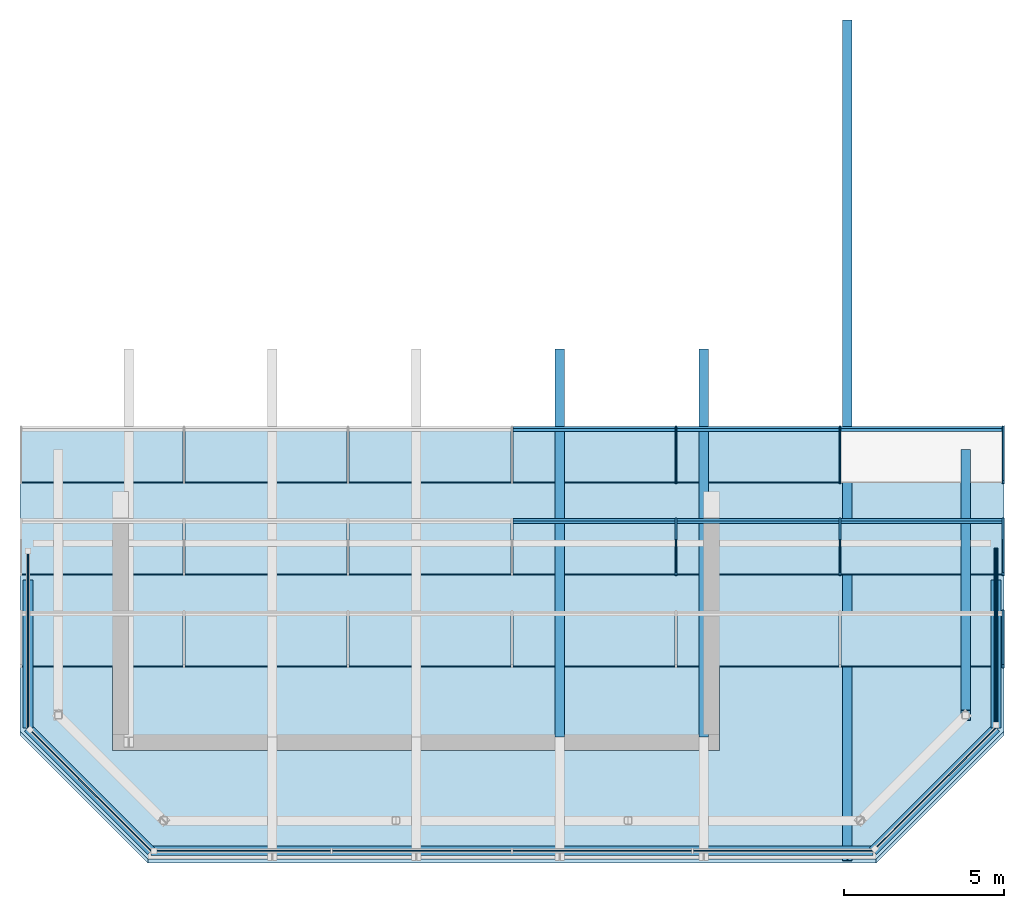
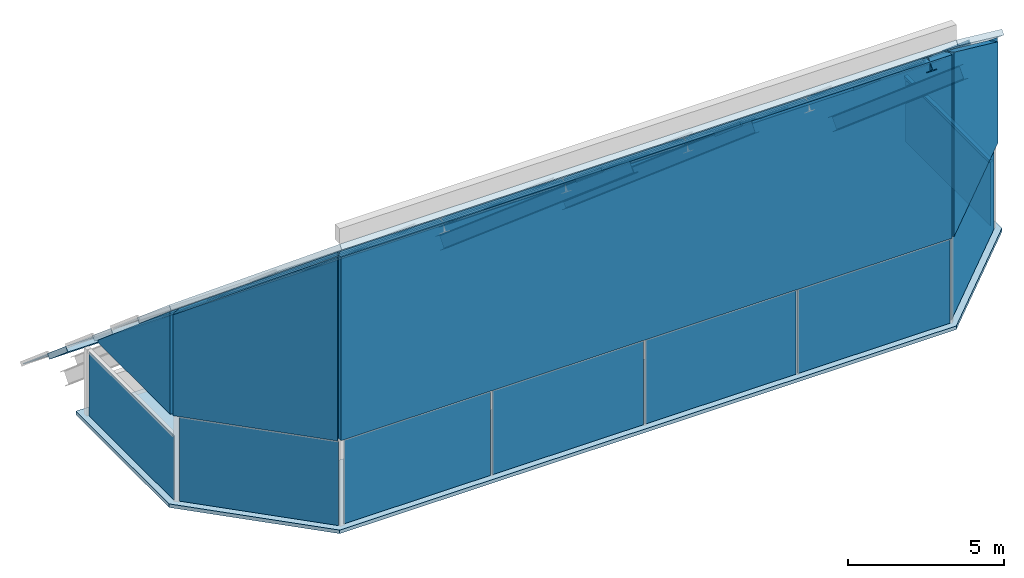
# One storey, part 2 of 3: 30 plates, 17 members, 4 slabs, 1 beam, 8 elements without a shape of their own.
"""IFC4 building model written with IfcOpenShell, lengths in metres."""

from ifc_helpers import new_model, si_unit, direction, frame, origin, origin_2d, place, context, subcontext, project, spatial, polyline, rectangle, i_section, outline, extrude, material, layer, layer_set, material_profile, profile_set, type_object, element, aggregate, save


model = new_model("IFC4")

# Units and contexts
model_context = context("Model", 3, precision=1e-05, world=origin(), true_north=direction((0.0, 1.0)))
body_context = subcontext(model_context, "Body", "Model", "MODEL_VIEW")
ifc_project = project(units=[si_unit("LENGTHUNIT", "METRE"), si_unit("AREAUNIT", "SQUARE_METRE"), si_unit("VOLUMEUNIT", "CUBIC_METRE"), si_unit("PLANEANGLEUNIT", "RADIAN"), si_unit("MASSUNIT", "GRAM", prefix="KILO")], contexts=[model_context])

# Site, building, storey
site_placement = place(None, origin())
site = spatial("IfcSite", under=ifc_project, at=site_placement, CompositionType="ELEMENT")
building_placement = place(site_placement, origin())
building = spatial("IfcBuilding", under=site, at=building_placement, Name="Tskaro Facet Tower", CompositionType="ELEMENT")
storey_placement = place(building_placement, frame((0.0, 0.0, 315.300048828125)))
storey = spatial("IfcBuildingStorey", under=building, at=storey_placement, Name="L85", CompositionType="ELEMENT", Elevation=315.300048828125)

# Curtain wall, member
ifc_material_1 = material(Name="Bronze anodised aluminium 6063-T6", Category="aluminium")
curtain_wall_type_1 = type_object("IfcCurtainWallType", Name="Bronze crown curtain wall (FW5)", PredefinedType="NOTDEFINED", material=ifc_material_1)
curtain_wall_1_placement = place(storey_placement, origin())
curtain_wall_1 = element("IfcCurtainWall", 1, at=curtain_wall_1_placement, inside=storey, type_object=curtain_wall_type_1, Name="FW5 east facet L85", PredefinedType="NOTDEFINED")
ifc_material_profile_1 = material_profile(ifc_material_1, rectangle(XDim=0.139892578125, YDim=0.110107421875, at=origin_2d()), Name="Transom 140x110")
ifc_profile_set_1 = profile_set([ifc_material_profile_1], Name="Bronze anodised aluminium 6063-T6")
member_type_1 = type_object("IfcMemberType", Name="FW5 bronze transom 140x110", PredefinedType="USERDEFINED", material=ifc_profile_set_1)
member_1_placement = place(storey_placement, frame((18.14990234375, -11.115966796875, 2.54541015625), z_axis=(0.0, 1.0, 0.0), x_axis=(-1.0, 0.0, 0.0)))
member_1 = element("IfcMember", 2, at=member_1_placement, type_object=member_type_1, Name="FW5 east transom 1.1", ObjectType="TRANSOM", PredefinedType="USERDEFINED", context=body_context, shape_type="SweptSolid", body=[
    extrude(rectangle(XDim=0.139892578125, YDim=0.110107421875, at=origin_2d()), origin(), (0.0, 0.0, 1.0), 5.44189453125),
])

curtain_wall_type_2 = type_object("IfcCurtainWallType", Name="Bronze crown roof glazing (FW6)", PredefinedType="NOTDEFINED", material=ifc_material_1)
curtain_wall_2_placement = place(storey_placement, origin())
curtain_wall_2 = element("IfcCurtainWall", 3, at=curtain_wall_2_placement, inside=storey, type_object=curtain_wall_type_2, Name="FW6 roof glazing strip 1", PredefinedType="NOTDEFINED")
ifc_material_profile_2 = material_profile(ifc_material_1, rectangle(XDim=0.06005859375, YDim=0.159912109375, at=origin_2d()), Name="Mullion 60x160")
ifc_profile_set_2 = profile_set([ifc_material_profile_2], Name="Bronze anodised aluminium 6063-T6")
member_type_2 = type_object("IfcMemberType", Name="FW6 bronze mullion 60x160", PredefinedType="MULLION", material=ifc_profile_set_2)
member_2_placement = place(storey_placement, frame((18.3701171875, -9.36669921875, 6.051513671875), z_axis=(0.0, 0.761969017427, -0.647613477687), x_axis=(-1.0, 0.0, 0.0)))
member_2 = element("IfcMember", 4, at=member_2_placement, type_object=member_type_2, Name="FW6 roof mullion 1.7", PredefinedType="MULLION", context=body_context, shape_type="SweptSolid", body=[
    extrude(rectangle(XDim=0.06005859375, YDim=0.159912109375, at=origin_2d()), origin(), (0.0, 0.0, 1.0), 2.23095703125),
])

# Curtain wall, members
curtain_wall_3_placement = place(storey_placement, origin())
curtain_wall_3 = element("IfcCurtainWall", 5, at=curtain_wall_3_placement, inside=storey, type_object=curtain_wall_type_2, Name="FW6 roof glazing strip 2", PredefinedType="NOTDEFINED")
member_3_placement = place(storey_placement, frame((8.13330078125, -6.4833984375, 3.600830078125), z_axis=(0.0, 0.761915018562, -0.6476770063), x_axis=(-1.0, 0.0, 0.0)))
member_3 = element("IfcMember", 6, at=member_3_placement, type_object=member_type_2, Name="FW6 roof mullion 2.5", PredefinedType="MULLION", context=body_context, shape_type="SweptSolid", body=[
    extrude(rectangle(XDim=0.06005859375, YDim=0.159912109375, at=origin_2d()), origin(), (0.0, 0.0, 1.0), 2.231201171875),
])
member_4_placement = place(storey_placement, frame((13.2666015625, -6.4833984375, 3.600830078125), z_axis=(0.0, 0.761915018562, -0.6476770063), x_axis=(-1.0, 0.0, 0.0)))
member_4 = element("IfcMember", 7, at=member_4_placement, type_object=member_type_2, Name="FW6 roof mullion 2.6", PredefinedType="MULLION", context=body_context, shape_type="SweptSolid", body=[
    extrude(rectangle(XDim=0.06005859375, YDim=0.159912109375, at=origin_2d()), origin(), (0.0, 0.0, 1.0), 2.231201171875),
])
member_5_placement = place(storey_placement, frame((18.3701171875, -6.4833984375, 3.600830078125), z_axis=(0.0, 0.761915018562, -0.6476770063), x_axis=(-1.0, 0.0, 0.0)))
member_5 = element("IfcMember", 8, at=member_5_placement, type_object=member_type_2, Name="FW6 roof mullion 2.7", PredefinedType="MULLION", context=body_context, shape_type="SweptSolid", body=[
    extrude(rectangle(XDim=0.06005859375, YDim=0.159912109375, at=origin_2d()), origin(), (0.0, 0.0, 1.0), 2.231201171875),
])

curtain_wall_4_placement = place(storey_placement, origin())
curtain_wall_4 = element("IfcCurtainWall", 9, at=curtain_wall_4_placement, inside=storey, type_object=curtain_wall_type_2, Name="FW6 roof glazing strip 3", PredefinedType="NOTDEFINED")
member_6_placement = place(storey_placement, frame((8.13330078125, -3.60009765625, 1.14990234375), z_axis=(0.0, 0.761960914345, -0.647623011489), x_axis=(-1.0, 0.0, 0.0)))
member_6 = element("IfcMember", 10, at=member_6_placement, type_object=member_type_2, Name="FW6 roof mullion 3.5", PredefinedType="MULLION", context=body_context, shape_type="SweptSolid", body=[
    extrude(rectangle(XDim=0.06005859375, YDim=0.159912109375, at=origin_2d()), origin(), (0.0, 0.0, 1.0), 2.2314453125),
])
member_7_placement = place(storey_placement, frame((13.2666015625, -3.60009765625, 1.14990234375), z_axis=(0.0, 0.761960914345, -0.647623011489), x_axis=(-1.0, 0.0, 0.0)))
member_7 = element("IfcMember", 11, at=member_7_placement, type_object=member_type_2, Name="FW6 roof mullion 3.6", PredefinedType="MULLION", context=body_context, shape_type="SweptSolid", body=[
    extrude(rectangle(XDim=0.06005859375, YDim=0.159912109375, at=origin_2d()), origin(), (0.0, 0.0, 1.0), 2.2314453125),
])
member_8_placement = place(storey_placement, frame((18.3701171875, -3.60009765625, 1.14990234375), z_axis=(0.0, 0.761960914345, -0.647623011489), x_axis=(-1.0, 0.0, 0.0)))
member_8 = element("IfcMember", 12, at=member_8_placement, type_object=member_type_2, Name="FW6 roof mullion 3.7", PredefinedType="MULLION", context=body_context, shape_type="SweptSolid", body=[
    extrude(rectangle(XDim=0.06005859375, YDim=0.159912109375, at=origin_2d()), origin(), (0.0, 0.0, 1.0), 2.2314453125),
])

# Member
ifc_material_profile_3 = material_profile(ifc_material_1, rectangle(XDim=0.1201171875, YDim=0.10009765625, at=origin_2d()), Name="Transom 120x100")
ifc_profile_set_3 = profile_set([ifc_material_profile_3], Name="Bronze anodised aluminium 6063-T6")
member_type_3 = type_object("IfcMemberType", Name="FW6 bronze transom 120x100", PredefinedType="USERDEFINED", material=ifc_profile_set_3)
member_9_placement = place(storey_placement, frame((3.030029296875, -4.8291015625, 2.194580078125), z_axis=(1.0, 0.0, 0.0), x_axis=(0.0, 0.761939317761, 0.647648420094)))
member_9 = element("IfcMember", 13, at=member_9_placement, type_object=member_type_3, Name="FW6 roof transom 2.4", ObjectType="TRANSOM", PredefinedType="USERDEFINED", context=body_context, shape_type="SweptSolid", body=[
    extrude(rectangle(XDim=0.1201171875, YDim=0.10009765625, at=origin_2d()), origin(), (0.0, 0.0, 1.0), 5.0732421875),
])

member_10_placement = place(storey_placement, frame((8.163330078125, -4.8291015625, 2.194580078125), z_axis=(1.0, 0.0, 0.0), x_axis=(0.0, 0.761939317761, 0.647648420094)))
member_10 = element("IfcMember", 14, at=member_10_placement, type_object=member_type_3, Name="FW6 roof transom 2.5", ObjectType="TRANSOM", PredefinedType="USERDEFINED", context=body_context, shape_type="SweptSolid", body=[
    extrude(rectangle(XDim=0.1201171875, YDim=0.10009765625, at=origin_2d()), origin(), (0.0, 0.0, 1.0), 5.0732421875),
])

member_11_placement = place(storey_placement, frame((13.296630859375, -4.8291015625, 2.194580078125), z_axis=(1.0, 0.0, 0.0), x_axis=(0.0, 0.761939317761, 0.647648420094)))
member_11 = element("IfcMember", 15, at=member_11_placement, type_object=member_type_3, Name="FW6 roof transom 2.6", ObjectType="TRANSOM", PredefinedType="USERDEFINED", context=body_context, shape_type="SweptSolid", body=[
    extrude(rectangle(XDim=0.1201171875, YDim=0.10009765625, at=origin_2d()), origin(), (0.0, 0.0, 1.0), 5.073486328125),
])

member_12_placement = place(storey_placement, frame((3.030029296875, -1.94580078125, -0.256103515625), z_axis=(1.0, 0.0, 0.0), x_axis=(0.0, 0.761939317761, 0.647648420094)))
member_12 = element("IfcMember", 16, at=member_12_placement, type_object=member_type_3, Name="FW6 roof transom 3.4", ObjectType="TRANSOM", PredefinedType="USERDEFINED", context=body_context, shape_type="SweptSolid", body=[
    extrude(rectangle(XDim=0.1201171875, YDim=0.10009765625, at=origin_2d()), origin(), (0.0, 0.0, 1.0), 5.0732421875),
])

member_13_placement = place(storey_placement, frame((8.163330078125, -1.94580078125, -0.256103515625), z_axis=(1.0, 0.0, 0.0), x_axis=(0.0, 0.761939317761, 0.647648420094)))
member_13 = element("IfcMember", 17, at=member_13_placement, type_object=member_type_3, Name="FW6 roof transom 3.5", ObjectType="TRANSOM", PredefinedType="USERDEFINED", context=body_context, shape_type="SweptSolid", body=[
    extrude(rectangle(XDim=0.1201171875, YDim=0.10009765625, at=origin_2d()), origin(), (0.0, 0.0, 1.0), 5.0732421875),
])

member_14_placement = place(storey_placement, frame((13.296630859375, -1.94580078125, -0.256103515625), z_axis=(1.0, 0.0, 0.0), x_axis=(0.0, 0.761939317761, 0.647648420094)))
member_14 = element("IfcMember", 18, at=member_14_placement, type_object=member_type_3, Name="FW6 roof transom 3.6", ObjectType="TRANSOM", PredefinedType="USERDEFINED", context=body_context, shape_type="SweptSolid", body=[
    extrude(rectangle(XDim=0.1201171875, YDim=0.10009765625, at=origin_2d()), origin(), (0.0, 0.0, 1.0), 5.073486328125),
])

# Members
ifc_material_2 = material(Name="Steel S355J2", Category="steel")
ifc_material_profile_4 = material_profile(ifc_material_2, i_section(OverallWidth=0.300048828125, OverallDepth=0.489990234375, WebThickness=0.011962890625, FlangeThickness=0.02294921875, FilletRadius=0.027099609375, at=origin_2d()), Name="HE 500 A")
ifc_profile_set_4 = profile_set([ifc_material_profile_4], Name="Steel S355J2")
member_type_4 = type_object("IfcMemberType", Name="HE 500 A rafter", PredefinedType="RAFTER", material=ifc_profile_set_4)
for number, where, z_axis, x_axis, name in (
    (19, (4.5, -11.75, 7.493408203125), (0.0, 0.761940073282, -0.647647531244), (-1.0, 0.0, 0.0), "HE 500 A RF4-2/6"),
    (20, (9.0, -11.75, 7.493408203125), (0.0, 0.761940073282, -0.647647531244), (-1.0, 0.0, 0.0), "HE 500 A RF5-2/6"),
):
    element("IfcMember", number, at=place(storey_placement, frame(where, z_axis=z_axis, x_axis=x_axis)), inside=storey, type_object=member_type_4, Name=name, PredefinedType="RAFTER", context=body_context, shape_type="SweptSolid", body=[
        extrude(i_section(OverallWidth=0.300048828125, OverallDepth=0.489990234375, WebThickness=0.011962890625, FlangeThickness=0.02294921875, FilletRadius=0.027099609375, at=origin_2d()), origin(), (0.0, 0.0, 1.0), 15.946044921875),
    ])
member_15_placement = place(storey_placement, frame((13.5, -15.300048828125, 10.510986328125), z_axis=(0.0, 0.761937905526, -0.647650081543), x_axis=(-1.0, 0.0, 0.0)))
element("IfcMember", 21, at=member_15_placement, inside=storey, type_object=member_type_4, Name="HE 500 A RF6-1/6", PredefinedType="RAFTER", context=body_context, shape_type="SweptSolid", body=[
    extrude(i_section(OverallWidth=0.300048828125, OverallDepth=0.489990234375, WebThickness=0.011962890625, FlangeThickness=0.02294921875, FilletRadius=0.027099609375, at=origin_2d()), origin(), (0.0, 0.0, 1.0), 34.12353515625),
])

# Beam
ifc_material_profile_5 = material_profile(ifc_material_2, i_section(OverallWidth=0.300048828125, OverallDepth=0.5, WebThickness=0.014404296875, FlangeThickness=0.028076171875, FilletRadius=0.027099609375, at=origin_2d()), Name="HE 500 B")
ifc_profile_set_5 = profile_set([ifc_material_profile_5], Name="Steel S355J2")
beam_type = type_object("IfcBeamType", Name="HE 500 B roof ring beam", PredefinedType="BEAM", material=ifc_profile_set_5)
beam_placement = place(storey_placement, frame((17.199951171875, -10.903076171875, 6.201904296875), z_axis=(0.0, 0.761947762015, -0.647638485546), x_axis=(-1.0, 0.0, 0.0)))
element("IfcBeam", 22, at=beam_placement, inside=storey, type_object=beam_type, Name="HE 500 B RB5-6", PredefinedType="BEAM", context=body_context, shape_type="SweptSolid", body=[
    extrude(i_section(OverallWidth=0.300048828125, OverallDepth=0.5, WebThickness=0.014404296875, FlangeThickness=0.028076171875, FilletRadius=0.027099609375, at=origin_2d()), origin(), (0.0, 0.0, 1.0), 10.7001953125),
])

# Plates
ifc_material_3 = material(Name="Bronze anodised aluminium cladding 5005-H34", Category="aluminium")
ifc_layer_1 = layer(ifc_material_3, 0.300048828125, Name="Bronze anodised aluminium cladding 5005-H34")
ifc_layer_set_1 = layer_set([ifc_layer_1], Name="Bronze anodised aluminium cladding 5005-H34")
plate_type_1 = type_object("IfcPlateType", Name="Crown cladding panel", PredefinedType="SHEET", material=ifc_layer_set_1)
plate_1_placement = place(storey_placement, frame((-8.2958984375, -15.14990234375, 3.39990234375), z_axis=(0.0, 0.0, 1.0), x_axis=(1.0, 0.0, 0.0)))
element("IfcPlate", 23, at=plate_1_placement, inside=storey, type_object=plate_type_1, Name="Crown cladding panel south L85", PredefinedType="SHEET", context=body_context, shape_type="SweptSolid", body=[
    extrude(outline(polyline([(0.0, 0.0), (22.591796875, 0.0), (22.592041015625, 7.177490234375), (0.0, 7.177490234375), (0.0, 0.0)])), frame((0.0, 0.14990234375, 0.0), z_axis=(0.0, -1.0, 0.0), x_axis=(1.0, 0.0, 0.0)), (0.0, 0.0, 1.0), 0.300048828125),
])
plate_2_placement = place(storey_placement, frame((14.2958984375, -15.14990234375, 3.39990234375), z_axis=(0.0, 0.0, 1.0), x_axis=(0.707106781187, 0.707106781187, 0.0)))
element("IfcPlate", 24, at=plate_2_placement, inside=storey, type_object=plate_type_1, Name="Crown cladding panel south-east L85", PredefinedType="SHEET", context=body_context, shape_type="SweptSolid", body=[
    extrude(outline(polyline([(0.0, 0.0), (5.450439453125, 0.0), (5.450439453125, 3.93896484375), (0.0, 7.21484375), (0.0, 0.0)])), frame((0.0, 0.14990234375, 0.0), z_axis=(0.0, -1.0, 0.0), x_axis=(1.0, 0.0, 0.0)), (0.0, 0.0, 1.0), 0.300048828125),
])
plate_3_placement = place(storey_placement, frame((18.14990234375, -11.2958984375, 3.39990234375), z_axis=(0.0, 0.0, 1.0), x_axis=(0.0, 1.0, 0.0)))
element("IfcPlate", 25, at=plate_3_placement, inside=storey, type_object=plate_type_1, Name="Crown cladding panel east L85", PredefinedType="SHEET", context=body_context, shape_type="SweptSolid", body=[
    extrude(outline(polyline([(0.0, 0.0), (4.622314453125, 0.0), (4.62255859375, 0.10009765625), (0.0, 4.029052734375), (0.0, 0.0)])), frame((0.0, 0.14990234375, 0.0), z_axis=(0.0, -1.0, 0.0), x_axis=(1.0, 0.0, 0.0)), (0.0, 0.0, 1.0), 0.300048828125),
])
plate_4_placement = place(storey_placement, frame((-12.14990234375, -6.673583984375, 3.39990234375), z_axis=(0.0, 0.0, 1.0), x_axis=(0.0, -1.0, 0.0)))
element("IfcPlate", 26, at=plate_4_placement, inside=storey, type_object=plate_type_1, Name="Crown cladding panel west L85", PredefinedType="SHEET", context=body_context, shape_type="SweptSolid", body=[
    extrude(outline(polyline([(0.0, 0.0), (4.622314453125, 0.0), (4.62255859375, 4.029052734375), (0.0, 0.10009765625), (0.0, 0.0)])), frame((0.0, 0.14990234375, 0.0), z_axis=(0.0, -1.0, 0.0), x_axis=(1.0, 0.0, 0.0)), (0.0, 0.0, 1.0), 0.300048828125),
])
plate_5_placement = place(storey_placement, frame((-12.14990234375, -11.2958984375, 3.39990234375), z_axis=(0.0, 0.0, 1.0), x_axis=(0.707106781187, -0.707106781187, 0.0)))
element("IfcPlate", 27, at=plate_5_placement, inside=storey, type_object=plate_type_1, Name="Crown cladding panel south-west L85", PredefinedType="SHEET", context=body_context, shape_type="SweptSolid", body=[
    extrude(outline(polyline([(0.0, 0.0), (5.450439453125, 0.0), (5.450439453125, 7.21484375), (0.0, 3.93896484375), (0.0, 0.0)])), frame((0.0, 0.14990234375, 0.0), z_axis=(0.0, -1.0, 0.0), x_axis=(1.0, 0.0, 0.0)), (0.0, 0.0, 1.0), 0.300048828125),
])

# Slabs
ifc_layer_2 = layer(ifc_material_3, 0.199951171875, Name="Bronze anodised aluminium cladding 5005-H34")
ifc_layer_set_2 = layer_set([ifc_layer_2], Name="Bronze anodised aluminium cladding 5005-H34")
slab_type_1 = type_object("IfcSlabType", Name="Crown roof cladding panel", PredefinedType="ROOF", material=ifc_layer_set_2)
slab_1_placement = place(storey_placement, frame((18.39990234375, -11.39990234375, 7.780029296875), z_axis=(0.0, 0.647665106306, 0.761925134166), x_axis=(-0.606065225926, -0.606046642132, 0.515162507839)))
element("IfcSlab", 28, at=slab_1_placement, inside=storey, type_object=slab_type_1, Name="Crown roof cladding 1", PredefinedType="ROOF", context=body_context, shape_type="SweptSolid", body=[
    extrude(outline(polyline([(0.0, 0.0), (6.59994969004867, 2.220446049250313e-16), (20.418118469048476, -18.135305494620756), (18.666690586408315, -24.49862509079728), (16.54400821551462, -26.115999734633125), (-2.1226823708936924, -1.6173746438358458), (0.0, 0.0)])), origin(), (0.0, 0.0, -1.0), 0.199951171875),
])
for number, where, z_axis, x_axis, name in (
    (29, (18.39990234375, -7.666748046875, 4.606689453125), (0.0, 0.647652983141, 0.761935439147), (-1.0, 0.0, 0.0), "Crown roof cladding 2"),
    (30, (18.39990234375, -4.783447265625, 2.15576171875), (0.0, 0.647652983141, 0.761935439147), (-1.0, 0.0, 0.0), "Crown roof cladding 3"),
):
    element("IfcSlab", number, at=place(storey_placement, frame(where, z_axis=z_axis, x_axis=x_axis)), inside=storey, type_object=slab_type_1, Name=name, PredefinedType="ROOF", context=body_context, shape_type="SweptSolid", body=[
        extrude(outline(polyline([(0.0, 0.0), (30.7998046875, 0.0), (30.7998046875, -1.5530838291229987), (0.0, -1.5530838291229987), (0.0, 0.0)])), origin(), (0.0, 0.0, -1.0), 0.199951171875),
    ])
ifc_material_4 = material(Name="Concrete C30/37", Category="concrete")
ifc_layer_3 = layer(ifc_material_4, 0.139892578125, Name="Concrete C30/37")
ifc_layer_set_3 = layer_set([ifc_layer_3], Name="Concrete C30/37")
slab_type_2 = type_object("IfcSlabType", Name="Crown roof deck slab", PredefinedType="ROOF", material=ifc_layer_set_3)
slab_2_placement = place(storey_placement, frame((0.0, 0.0, -0.14013671875)))
element("IfcSlab", 31, at=slab_2_placement, inside=storey, type_object=slab_type_2, Name="Crown roof deck RD1 L85", PredefinedType="ROOF", context=body_context, shape_type="SweptSolid", body=[
    extrude(outline(polyline([(18.39990234375, -5.424072265625), (18.39990234375, -11.39990234375), (14.39990234375, -15.39990234375), (-8.39990234375, -15.39990234375), (-12.39990234375, -11.39990234375), (-12.39990234375, -5.424072265625), (-9.5, -5.424072265625), (-9.5, -12.0), (9.5, -12.0), (9.5, -5.424072265625), (18.39990234375, -5.424072265625)])), origin(), (0.0, 0.0, 1.0), 0.14013671875),
])

# Curtain wall, plates
curtain_wall_5_placement = place(storey_placement, origin())
curtain_wall_5 = element("IfcCurtainWall", 32, at=curtain_wall_5_placement, inside=storey, type_object=curtain_wall_type_1, Name="FW5 south facet L85", PredefinedType="NOTDEFINED")
ifc_material_5 = material(Name="Bronze reflective glass", Category="glass")
ifc_layer_4 = layer(ifc_material_5, 0.033935546875, Name="Bronze reflective glass")
ifc_layer_set_4 = layer_set([ifc_layer_4], Name="Bronze reflective glass")
plate_type_2 = type_object("IfcPlateType", Name="FW5 bronze-tinted unit glazing 34", PredefinedType="CURTAIN_PANEL", material=ifc_layer_set_4)
plate_6_placement = place(storey_placement, frame((-5.3994140625, -15.14990234375, 0.0), z_axis=(0.0, 0.0, 1.0), x_axis=(1.0, 0.0, 0.0)))
plate_6 = element("IfcPlate", 33, at=plate_6_placement, type_object=plate_type_2, Name="FW5 south glazing 1.1", PredefinedType="CURTAIN_PANEL", context=body_context, shape_type="SweptSolid", body=[
    extrude(rectangle(XDim=5.43310546875, YDim=0.033935546875, at=origin_2d()), origin(), (0.0, 0.0, 1.0), 3.2900390625),
])
plate_7_placement = place(storey_placement, frame((0.176025390625, -15.14990234375, 0.0), z_axis=(0.0, 0.0, 1.0), x_axis=(1.0, 0.0, 0.0)))
plate_7 = element("IfcPlate", 34, at=plate_7_placement, type_object=plate_type_2, Name="FW5 south glazing 2.1", PredefinedType="CURTAIN_PANEL", context=body_context, shape_type="SweptSolid", body=[
    extrude(rectangle(XDim=5.577880859375, YDim=0.033935546875, at=origin_2d()), origin(), (0.0, 0.0, 1.0), 3.2900390625),
])
plate_8_placement = place(storey_placement, frame((5.823974609375, -15.14990234375, 0.0), z_axis=(0.0, 0.0, 1.0), x_axis=(1.0, 0.0, 0.0)))
plate_8 = element("IfcPlate", 35, at=plate_8_placement, type_object=plate_type_2, Name="FW5 south glazing 3.1", PredefinedType="CURTAIN_PANEL", context=body_context, shape_type="SweptSolid", body=[
    extrude(rectangle(XDim=5.577880859375, YDim=0.033935546875, at=origin_2d()), origin(), (0.0, 0.0, 1.0), 3.2900390625),
])
plate_9_placement = place(storey_placement, frame((11.489501953125, -15.14990234375, 0.0), z_axis=(0.0, 0.0, 1.0), x_axis=(1.0, 0.0, 0.0)))
plate_9 = element("IfcPlate", 36, at=plate_9_placement, type_object=plate_type_2, Name="FW5 south glazing 4.1", PredefinedType="CURTAIN_PANEL", context=body_context, shape_type="SweptSolid", body=[
    extrude(rectangle(XDim=5.613037109375, YDim=0.033935546875, at=origin_2d()), origin(), (0.0, 0.0, 1.0), 3.2900390625),
])
aggregate(curtain_wall_5, [plate_6, plate_7, plate_8, plate_9])

# Curtain wall, plate
curtain_wall_6_placement = place(storey_placement, origin())
curtain_wall_6 = element("IfcCurtainWall", 37, at=curtain_wall_6_placement, inside=storey, type_object=curtain_wall_type_1, Name="FW5 south-east facet L85", PredefinedType="NOTDEFINED")
plate_10_placement = place(storey_placement, frame((16.28662109375, -13.159423828125, 0.0), z_axis=(0.0, 0.0, 1.0), x_axis=(0.707106781187, 0.707106781187, 0.0)))
plate_10 = element("IfcPlate", 38, at=plate_10_placement, type_object=plate_type_2, Name="FW5 south-east glazing 1.1", PredefinedType="CURTAIN_PANEL", context=body_context, shape_type="SweptSolid", body=[
    extrude(rectangle(XDim=5.270263671875, YDim=0.033935546875, at=origin_2d()), origin(), (0.0, 0.0, 1.0), 3.2900390625),
])
aggregate(curtain_wall_6, [plate_10])

# Plate
plate_11_placement = place(storey_placement, frame((18.14990234375, -8.39501953125, 0.0), z_axis=(0.0, 0.0, 1.0), x_axis=(0.0, 1.0, 0.0)))
plate_11 = element("IfcPlate", 39, at=plate_11_placement, type_object=plate_type_2, Name="FW5 east glazing 1.1", PredefinedType="CURTAIN_PANEL", context=body_context, shape_type="SweptSolid", body=[
    extrude(rectangle(XDim=5.44189453125, YDim=0.033935546875, at=origin_2d()), origin(), (0.0, 0.0, 1.0), 2.490478515625),
])

aggregate(curtain_wall_1, [member_1, plate_11])

# Curtain wall, plate
curtain_wall_7_placement = place(storey_placement, origin())
curtain_wall_7 = element("IfcCurtainWall", 40, at=curtain_wall_7_placement, inside=storey, type_object=curtain_wall_type_1, Name="FW5 west facet L85", PredefinedType="NOTDEFINED")
plate_12_placement = place(storey_placement, frame((-12.14990234375, -8.574951171875, 0.0), z_axis=(0.0, 0.0, 1.0), x_axis=(0.0, -1.0, 0.0)))
plate_12 = element("IfcPlate", 41, at=plate_12_placement, type_object=plate_type_2, Name="FW5 west glazing 1.1", PredefinedType="CURTAIN_PANEL", context=body_context, shape_type="SweptSolid", body=[
    extrude(rectangle(XDim=5.44189453125, YDim=0.033935546875, at=origin_2d()), origin(), (0.0, 0.0, 1.0), 2.490478515625),
])
aggregate(curtain_wall_7, [plate_12])

curtain_wall_8_placement = place(storey_placement, origin())
curtain_wall_8 = element("IfcCurtainWall", 42, at=curtain_wall_8_placement, inside=storey, type_object=curtain_wall_type_1, Name="FW5 south-west facet L85", PredefinedType="NOTDEFINED")
plate_13_placement = place(storey_placement, frame((-10.159423828125, -13.28662109375, 0.0), z_axis=(0.0, 0.0, 1.0), x_axis=(0.707106781187, -0.707106781187, 0.0)))
plate_13 = element("IfcPlate", 43, at=plate_13_placement, type_object=plate_type_2, Name="FW5 south-west glazing 1.1", PredefinedType="CURTAIN_PANEL", context=body_context, shape_type="SweptSolid", body=[
    extrude(rectangle(XDim=5.270263671875, YDim=0.033935546875, at=origin_2d()), origin(), (0.0, 0.0, 1.0), 3.2900390625),
])
aggregate(curtain_wall_8, [plate_13])

# Plate
ifc_layer_5 = layer(ifc_material_5, 0.0400390625, Name="Bronze reflective glass")
ifc_layer_set_5 = layer_set([ifc_layer_5], Name="Bronze reflective glass")
plate_type_3 = type_object("IfcPlateType", Name="FW6 bronze-tinted unit glazing 40", PredefinedType="CURTAIN_PANEL", material=ifc_layer_set_5)
plate_14_placement = place(storey_placement, frame((-12.3701171875, -9.36669921875, 6.051513671875), z_axis=(0.0, 0.647604779897, 0.761976409775), x_axis=(1.0, 0.0, 0.0)))
plate_14 = element("IfcPlate", 44, at=plate_14_placement, type_object=plate_type_3, Name="FW6 roof glazing 1.1", PredefinedType="CURTAIN_PANEL", context=body_context, shape_type="SweptSolid", body=[
    extrude(outline(polyline([(0.0, 0.0), (5.073486328125, 0.0), (5.073486328125, 2.1111448563073303), (0.0, 2.1111448563073303), (0.0, 0.0)])), origin(), (0.0, 0.0, -1.0), 0.0400390625),
])

plate_15_placement = place(storey_placement, frame((-7.236572265625, -9.36669921875, 6.051513671875), z_axis=(0.0, 0.647604779897, 0.761976409775), x_axis=(1.0, 0.0, 0.0)))
plate_15 = element("IfcPlate", 45, at=plate_15_placement, type_object=plate_type_3, Name="FW6 roof glazing 1.2", PredefinedType="CURTAIN_PANEL", context=body_context, shape_type="SweptSolid", body=[
    extrude(outline(polyline([(0.0, 0.0), (5.0732421875, 0.0), (5.0732421875, 2.11114485630733), (0.0, 2.11114485630733), (0.0, 0.0)])), origin(), (0.0, 0.0, -1.0), 0.0400390625),
])

plate_16_placement = place(storey_placement, frame((-2.103271484375, -9.36669921875, 6.051513671875), z_axis=(0.0, 0.647604779897, 0.761976409775), x_axis=(1.0, 0.0, 0.0)))
plate_16 = element("IfcPlate", 46, at=plate_16_placement, type_object=plate_type_3, Name="FW6 roof glazing 1.3", PredefinedType="CURTAIN_PANEL", context=body_context, shape_type="SweptSolid", body=[
    extrude(outline(polyline([(0.0, 0.0), (5.0732421875, 0.0), (5.0732421875, 2.11114485630733), (0.0, 2.11114485630733), (0.0, 0.0)])), origin(), (0.0, 0.0, -1.0), 0.0400390625),
])

plate_17_placement = place(storey_placement, frame((3.030029296875, -9.36669921875, 6.051513671875), z_axis=(0.0, 0.647604779897, 0.761976409775), x_axis=(1.0, 0.0, 0.0)))
plate_17 = element("IfcPlate", 47, at=plate_17_placement, type_object=plate_type_3, Name="FW6 roof glazing 1.4", PredefinedType="CURTAIN_PANEL", context=body_context, shape_type="SweptSolid", body=[
    extrude(outline(polyline([(0.0, 0.0), (5.0732421875, 0.0), (5.0732421875, 2.11114485630733), (0.0, 2.11114485630733), (0.0, 0.0)])), origin(), (0.0, 0.0, -1.0), 0.0400390625),
])

plate_18_placement = place(storey_placement, frame((8.163330078125, -9.36669921875, 6.051513671875), z_axis=(0.0, 0.647604779897, 0.761976409775), x_axis=(1.0, 0.0, 0.0)))
plate_18 = element("IfcPlate", 48, at=plate_18_placement, type_object=plate_type_3, Name="FW6 roof glazing 1.5", PredefinedType="CURTAIN_PANEL", context=body_context, shape_type="SweptSolid", body=[
    extrude(outline(polyline([(0.0, 0.0), (5.0732421875, 0.0), (5.0732421875, 2.11114485630733), (0.0, 2.11114485630733), (0.0, 0.0)])), origin(), (0.0, 0.0, -1.0), 0.0400390625),
])

plate_19_placement = place(storey_placement, frame((13.296630859375, -9.36669921875, 6.051513671875), z_axis=(0.0, 0.647604779897, 0.761976409775), x_axis=(1.0, 0.0, 0.0)))
plate_19 = element("IfcPlate", 49, at=plate_19_placement, type_object=plate_type_3, Name="FW6 roof glazing 1.6", PredefinedType="CURTAIN_PANEL", context=body_context, shape_type="SweptSolid", body=[
    extrude(outline(polyline([(0.0, 0.0), (5.073486328125, 0.0), (5.073486328125, 2.1111448563073303), (0.0, 2.1111448563073303), (0.0, 0.0)])), origin(), (0.0, 0.0, -1.0), 0.0400390625),
])

aggregate(curtain_wall_2, [member_2, plate_14, plate_15, plate_16, plate_17, plate_18, plate_19])

plate_20_placement = place(storey_placement, frame((-12.3701171875, -6.4833984375, 3.600830078125), z_axis=(0.0, 0.647671916024, 0.761919345596), x_axis=(1.0, 0.0, 0.0)))
plate_20 = element("IfcPlate", 50, at=plate_20_placement, type_object=plate_type_3, Name="FW6 roof glazing 2.1", PredefinedType="CURTAIN_PANEL", context=body_context, shape_type="SweptSolid", body=[
    extrude(outline(polyline([(0.0, 0.0), (5.073486328125, 0.0), (5.073486328125, 2.111302971138682), (0.0, 2.111302971138682), (0.0, 0.0)])), origin(), (0.0, 0.0, -1.0), 0.0400390625),
])

plate_21_placement = place(storey_placement, frame((-7.236572265625, -6.4833984375, 3.600830078125), z_axis=(0.0, 0.647671916024, 0.761919345596), x_axis=(1.0, 0.0, 0.0)))
plate_21 = element("IfcPlate", 51, at=plate_21_placement, type_object=plate_type_3, Name="FW6 roof glazing 2.2", PredefinedType="CURTAIN_PANEL", context=body_context, shape_type="SweptSolid", body=[
    extrude(outline(polyline([(0.0, 0.0), (5.0732421875, 0.0), (5.0732421875, 2.111302971138682), (0.0, 2.111302971138682), (0.0, 0.0)])), origin(), (0.0, 0.0, -1.0), 0.0400390625),
])

plate_22_placement = place(storey_placement, frame((-2.103271484375, -6.4833984375, 3.600830078125), z_axis=(0.0, 0.647671916024, 0.761919345596), x_axis=(1.0, 0.0, 0.0)))
plate_22 = element("IfcPlate", 52, at=plate_22_placement, type_object=plate_type_3, Name="FW6 roof glazing 2.3", PredefinedType="CURTAIN_PANEL", context=body_context, shape_type="SweptSolid", body=[
    extrude(outline(polyline([(0.0, 0.0), (5.0732421875, 0.0), (5.0732421875, 2.111302971138682), (0.0, 2.111302971138682), (0.0, 0.0)])), origin(), (0.0, 0.0, -1.0), 0.0400390625),
])

plate_23_placement = place(storey_placement, frame((3.030029296875, -6.4833984375, 3.600830078125), z_axis=(0.0, 0.647671916024, 0.761919345596), x_axis=(1.0, 0.0, 0.0)))
plate_23 = element("IfcPlate", 53, at=plate_23_placement, type_object=plate_type_3, Name="FW6 roof glazing 2.4", PredefinedType="CURTAIN_PANEL", context=body_context, shape_type="SweptSolid", body=[
    extrude(outline(polyline([(0.0, 0.0), (5.0732421875, 0.0), (5.0732421875, 2.111302971138682), (0.0, 2.111302971138682), (0.0, 0.0)])), origin(), (0.0, 0.0, -1.0), 0.0400390625),
])

plate_24_placement = place(storey_placement, frame((8.163330078125, -6.4833984375, 3.600830078125), z_axis=(0.0, 0.647671916024, 0.761919345596), x_axis=(1.0, 0.0, 0.0)))
plate_24 = element("IfcPlate", 54, at=plate_24_placement, type_object=plate_type_3, Name="FW6 roof glazing 2.5", PredefinedType="CURTAIN_PANEL", context=body_context, shape_type="SweptSolid", body=[
    extrude(outline(polyline([(0.0, 0.0), (5.0732421875, 0.0), (5.0732421875, 2.111302971138682), (0.0, 2.111302971138682), (0.0, 0.0)])), origin(), (0.0, 0.0, -1.0), 0.0400390625),
])

plate_25_placement = place(storey_placement, frame((13.296630859375, -6.4833984375, 3.600830078125), z_axis=(0.0, 0.647671916024, 0.761919345596), x_axis=(1.0, 0.0, 0.0)))
plate_25 = element("IfcPlate", 55, at=plate_25_placement, type_object=plate_type_3, Name="FW6 roof glazing 2.6", PredefinedType="CURTAIN_PANEL", context=body_context, shape_type="SweptSolid", body=[
    extrude(outline(polyline([(0.0, 0.0), (5.073486328125, 0.0), (5.073486328125, 2.111302971138682), (0.0, 2.111302971138682), (0.0, 0.0)])), origin(), (0.0, 0.0, -1.0), 0.0400390625),
])

aggregate(curtain_wall_3, [member_3, member_4, member_5, plate_20, plate_21, plate_22, member_9, plate_23, member_10, plate_24, member_11, plate_25])

plate_26_placement = place(storey_placement, frame((-12.3701171875, -3.60009765625, 1.14990234375), z_axis=(0.0, 0.647604779897, 0.761976409775), x_axis=(1.0, 0.0, 0.0)))
plate_26 = element("IfcPlate", 56, at=plate_26_placement, type_object=plate_type_3, Name="FW6 roof glazing 3.1", PredefinedType="CURTAIN_PANEL", context=body_context, shape_type="SweptSolid", body=[
    extrude(outline(polyline([(0.0, 0.0), (5.073486328125, 0.0), (5.073486328125, 2.1111448563073303), (0.0, 2.1111448563073303), (0.0, 0.0)])), origin(), (0.0, 0.0, -1.0), 0.0400390625),
])

plate_27_placement = place(storey_placement, frame((-7.236572265625, -3.60009765625, 1.14990234375), z_axis=(0.0, 0.647604779897, 0.761976409775), x_axis=(1.0, 0.0, 0.0)))
plate_27 = element("IfcPlate", 57, at=plate_27_placement, type_object=plate_type_3, Name="FW6 roof glazing 3.2", PredefinedType="CURTAIN_PANEL", context=body_context, shape_type="SweptSolid", body=[
    extrude(outline(polyline([(0.0, 0.0), (5.0732421875, 0.0), (5.0732421875, 2.11114485630733), (0.0, 2.11114485630733), (0.0, 0.0)])), origin(), (0.0, 0.0, -1.0), 0.0400390625),
])

plate_28_placement = place(storey_placement, frame((-2.103271484375, -3.60009765625, 1.14990234375), z_axis=(0.0, 0.647604779897, 0.761976409775), x_axis=(1.0, 0.0, 0.0)))
plate_28 = element("IfcPlate", 58, at=plate_28_placement, type_object=plate_type_3, Name="FW6 roof glazing 3.3", PredefinedType="CURTAIN_PANEL", context=body_context, shape_type="SweptSolid", body=[
    extrude(outline(polyline([(0.0, 0.0), (5.0732421875, 0.0), (5.0732421875, 2.11114485630733), (0.0, 2.11114485630733), (0.0, 0.0)])), origin(), (0.0, 0.0, -1.0), 0.0400390625),
])

plate_29_placement = place(storey_placement, frame((3.030029296875, -3.60009765625, 1.14990234375), z_axis=(0.0, 0.647604779897, 0.761976409775), x_axis=(1.0, 0.0, 0.0)))
plate_29 = element("IfcPlate", 59, at=plate_29_placement, type_object=plate_type_3, Name="FW6 roof glazing 3.4", PredefinedType="CURTAIN_PANEL", context=body_context, shape_type="SweptSolid", body=[
    extrude(outline(polyline([(0.0, 0.0), (5.0732421875, 0.0), (5.0732421875, 2.11114485630733), (0.0, 2.11114485630733), (0.0, 0.0)])), origin(), (0.0, 0.0, -1.0), 0.0400390625),
])

plate_30_placement = place(storey_placement, frame((8.163330078125, -3.60009765625, 1.14990234375), z_axis=(0.0, 0.647604779897, 0.761976409775), x_axis=(1.0, 0.0, 0.0)))
plate_30 = element("IfcPlate", 60, at=plate_30_placement, type_object=plate_type_3, Name="FW6 roof glazing 3.5", PredefinedType="CURTAIN_PANEL", context=body_context, shape_type="SweptSolid", body=[
    extrude(outline(polyline([(0.0, 0.0), (5.0732421875, 0.0), (5.0732421875, 2.11114485630733), (0.0, 2.11114485630733), (0.0, 0.0)])), origin(), (0.0, 0.0, -1.0), 0.0400390625),
])

aggregate(curtain_wall_4, [member_6, member_7, member_8, plate_26, plate_27, plate_28, member_12, plate_29, member_13, plate_30, member_14])

save(model, "model.ifc")
